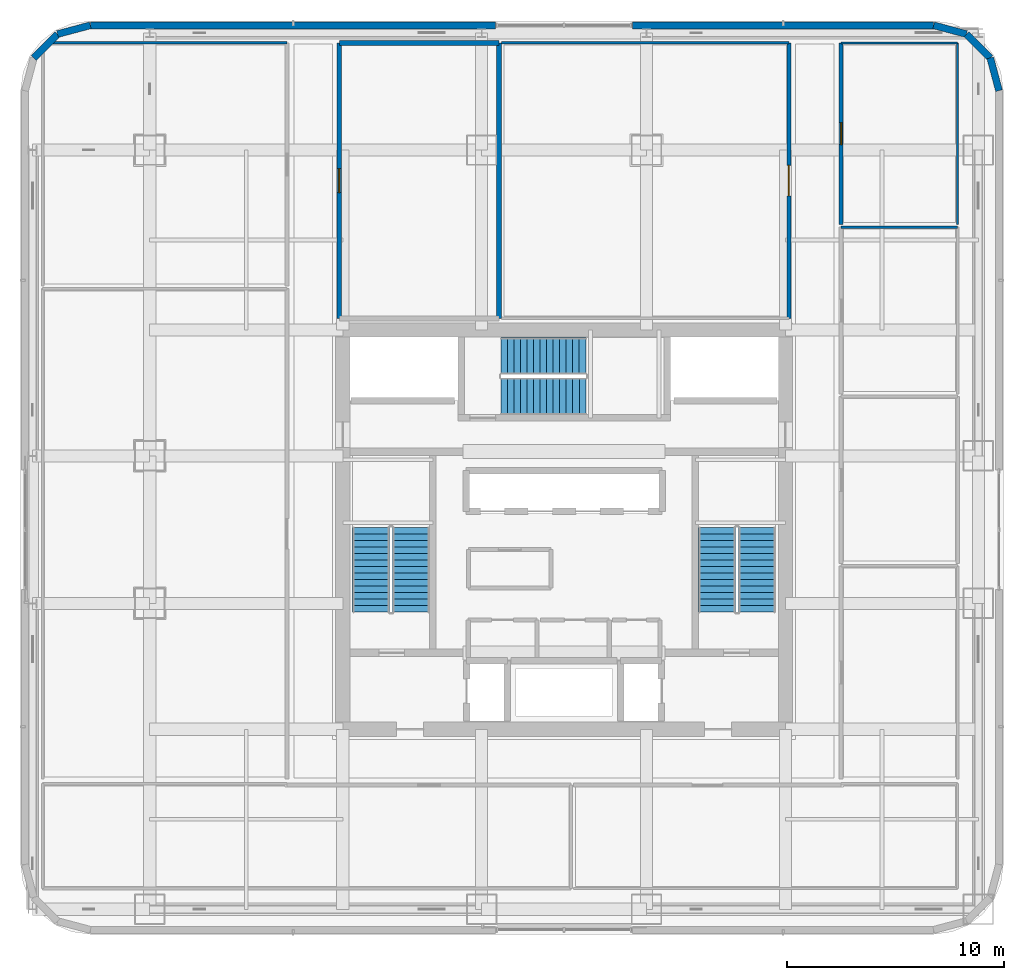
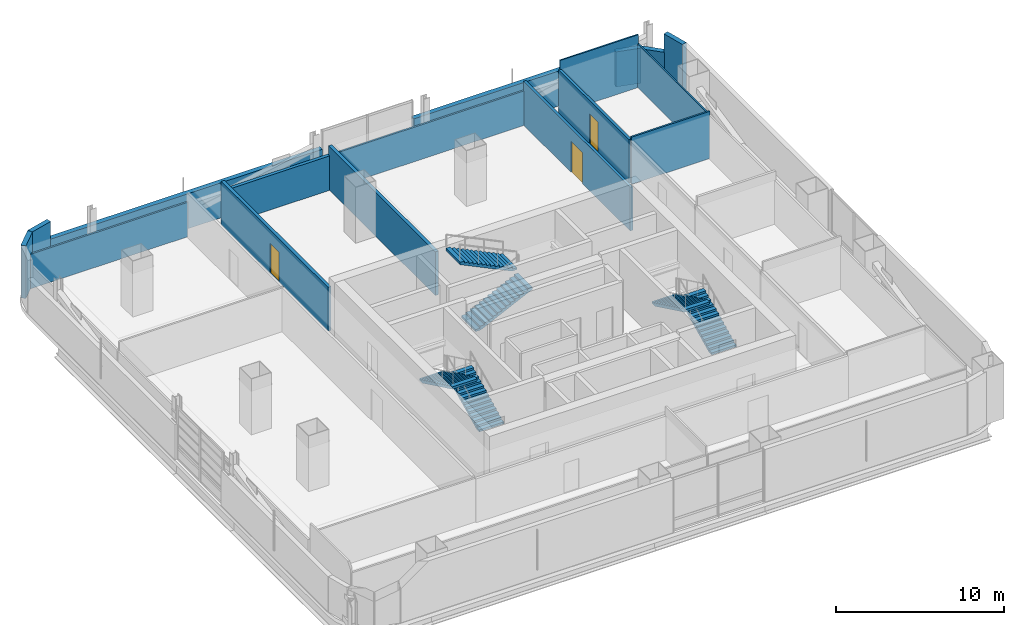
# One storey, part 15 of 32: 17 walls, 6 stair flights, 3 doors, 3 openings, 3 elements without a shape of their own.
"""IFC4 building model written with IfcOpenShell, lengths in metres."""

from ifc_helpers import new_model, si_unit, direction, frame, frame_2d, origin, place, context, subcontext, project, spatial, polyline, rectangle, outline, extrude, material, layer, layer_set, type_object, element, fill, aggregate, save


model = new_model("IFC4")

# Units and contexts
model_context = context("Model", 3, precision=1e-05, world=origin(), true_north=direction((0.0, 1.0)))
body_context = subcontext(model_context, "Body", "Model", "MODEL_VIEW")
ifc_project = project(units=[si_unit("LENGTHUNIT", "METRE"), si_unit("AREAUNIT", "SQUARE_METRE"), si_unit("VOLUMEUNIT", "CUBIC_METRE"), si_unit("PLANEANGLEUNIT", "RADIAN"), si_unit("MASSUNIT", "GRAM", prefix="KILO")], contexts=[model_context])

# Site, building, storey
site_placement = place(None, origin())
site = spatial("IfcSite", under=ifc_project, at=site_placement, CompositionType="ELEMENT")
building_placement = place(site_placement, origin())
building = spatial("IfcBuilding", under=site, at=building_placement, Name="Punatoya Terracotta Tower", CompositionType="ELEMENT")
storey_placement = place(building_placement, frame((0.0, 0.0, 139.800048828125)))
storey = spatial("IfcBuildingStorey", under=building, at=storey_placement, Name="L32", CompositionType="ELEMENT", Elevation=139.800048828125)

# Wall, opening, door
ifc_material_1 = material(Name="Gypsum Fireboard + Steel Stud", Category="steel")
ifc_layer_1 = layer(ifc_material_1, 0.179931640625)
ifc_layer_set_1 = layer_set([ifc_layer_1], Name="Gypsum Fireboard + Steel Stud")
wall_type_1 = type_object("IfcWallType", Name="WL-CORR-180", PredefinedType="PARTITIONING", material=ifc_layer_set_1)
wall_1_placement = place(storey_placement, frame((10.360107421875, 22.43994140625, 0.0), z_axis=(0.0, 0.0, 1.0), x_axis=(0.0, -1.0, 0.0)))
wall_1 = element("IfcWall", 1, at=wall_1_placement, inside=storey, type_object=wall_type_1, Name="L32 Editorial Conference Room Partition 39", PredefinedType="PARTITIONING", context=body_context, shape_type="SweptSolid", body=[
    extrude(rectangle(XDim=12.699951171875, YDim=0.179931640625, at=frame_2d((6.35009765625, 0.0))), origin(), (0.0, 0.0, 1.0), 3.174072265625),
])
opening_1_placement = place(wall_1_placement, frame((5.64990234375, 0.0, 0.0)))
opening_1 = element("IfcOpeningElement", 2, at=opening_1_placement, cuts=wall_1, Name="Opening BD-01", PredefinedType="OPENING", context=body_context, shape_type="SweptSolid", body=[
    extrude(rectangle(XDim=1.39990234375, YDim=2.25, at=frame_2d((0.699951171875, 1.125))), frame((0.0, 0.099853515625, 0.0), z_axis=(0.0, -1.0, 0.0), x_axis=(1.0, 0.0, 0.0)), (0.0, 0.0, 1.0), 0.199951171875),
])
ifc_material_2 = material(Name="Bengal Teak Acoustic Leaf")
door_type_1 = type_object("IfcDoorType", Name="DR-BRD-1400", OperationType="NOTDEFINED", PredefinedType="DOOR", material=ifc_material_2)
door_1_placement = place(opening_1_placement, origin())
door_1 = element("IfcDoor", 3, at=door_1_placement, inside=storey, type_object=door_type_1, Name="L32 Editorial Conference Room Door", OperationType="SINGLE_SWING_LEFT", OverallHeight=2.25, OverallWidth=1.39990234375, PredefinedType="DOOR", context=body_context, shape_type="SweptSolid", body=[
    extrude(rectangle(XDim=1.39990234375, YDim=2.25, at=frame_2d((0.699951171875, 1.125))), frame((0.0, 0.02490234375, 0.0), z_axis=(0.0, -1.0, 0.0), x_axis=(1.0, 0.0, 0.0)), (0.0, 0.0, 1.0), 0.050048828125),
])
fill(opening_1, door_1)

wall_2_placement = place(storey_placement, frame((12.77001953125, 14.070068359375, 0.0), z_axis=(0.0, 0.0, 1.0), x_axis=(0.0, 1.0, 0.0)))
wall_2 = element("IfcWall", 4, at=wall_2_placement, inside=storey, type_object=wall_type_1, Name="L32 Visualization Review Room Partition 45", PredefinedType="PARTITIONING", context=body_context, shape_type="SweptSolid", body=[
    extrude(rectangle(XDim=8.369873046875, YDim=0.179931640625, at=frame_2d((4.18505859375, 0.0))), origin(), (0.0, 0.0, 1.0), 3.174072265625),
])
opening_2_placement = place(wall_2_placement, frame((3.675048828125, 0.0, 0.0)))
opening_2 = element("IfcOpeningElement", 5, at=opening_2_placement, cuts=wall_2, Name="Opening MD-01", PredefinedType="OPENING", context=body_context, shape_type="SweptSolid", body=[
    extrude(rectangle(XDim=1.02001953125, YDim=2.199951171875, at=frame_2d((0.510009765625, 1.10009765625))), frame((0.0, 0.099853515625, 0.0), z_axis=(0.0, -1.0, 0.0), x_axis=(1.0, 0.0, 0.0)), (0.0, 0.0, 1.0), 0.199951171875),
])
ifc_material_3 = material(Name="Aluminium + Acoustic Glass Leaf", Category="aluminium")
door_type_2 = type_object("IfcDoorType", Name="DR-MTG-1020", OperationType="NOTDEFINED", PredefinedType="DOOR", material=ifc_material_3)
door_2_placement = place(opening_2_placement, origin())
door_2 = element("IfcDoor", 6, at=door_2_placement, inside=storey, type_object=door_type_2, Name="L32 Visualization Review Room Door", OperationType="SINGLE_SWING_LEFT", OverallHeight=2.199951171875, OverallWidth=1.02001953125, PredefinedType="DOOR", context=body_context, shape_type="SweptSolid", body=[
    extrude(rectangle(XDim=1.02001953125, YDim=2.199951171875, at=frame_2d((0.510009765625, 1.10009765625))), frame((0.0, 0.02490234375, 0.0), z_axis=(0.0, -1.0, 0.0), x_axis=(1.0, 0.0, 0.0)), (0.0, 0.0, 1.0), 0.050048828125),
])
fill(opening_2, door_2)

# Walls
ifc_material_4 = material(Name="Precast concrete C40/50", Category="concrete")
ifc_layer_2 = layer(ifc_material_4, 0.320068359375)
ifc_layer_set_2 = layer_set([ifc_layer_2], Name="Precast concrete C40/50")
wall_type_2 = type_object("IfcWallType", Name="WL-EXT-320", PredefinedType="SOLIDWALL", material=ifc_layer_set_2)
wall_3_placement = place(storey_placement, frame((20.050048828125, 20.23681640625, 0.0), z_axis=(0.0, 0.0, 1.0), x_axis=(-0.257847112249, 0.966185730957, 0.0)))
element("IfcWall", 7, at=wall_3_placement, inside=storey, type_object=wall_type_2, Name="L32 Rounded Terracotta Corner Pier 06", PredefinedType="SOLIDWALL", context=body_context, shape_type="SweptSolid", body=[
    extrude(rectangle(XDim=1.565185546875, YDim=0.320068359375, at=frame_2d((0.78271484375, 0.0))), origin(), (0.0, 0.0, 1.0), 3.829833984375),
])
wall_4_placement = place(storey_placement, frame((19.646484375, 21.7490234375, 0.0), z_axis=(0.0, 0.0, 1.0), x_axis=(-0.707028130747, 0.707185422879, 0.0)))
element("IfcWall", 8, at=wall_4_placement, inside=storey, type_object=wall_type_2, Name="L32 Rounded Terracotta Corner Pier 07", PredefinedType="SOLIDWALL", context=body_context, shape_type="SweptSolid", body=[
    extrude(rectangle(XDim=1.55224609375, YDim=0.320068359375, at=frame_2d((0.776123046875, 0.0))), origin(), (0.0, 0.0, 1.0), 2.50390625),
])
wall_5_placement = place(storey_placement, frame((18.549072265625, 22.8466796875, 0.0), z_axis=(0.0, 0.0, 1.0), x_axis=(-0.966224582397, 0.257701486942, 0.0)))
element("IfcWall", 9, at=wall_5_placement, inside=storey, type_object=wall_type_2, Name="L32 Rounded Terracotta Corner Pier 08", PredefinedType="SOLIDWALL", context=body_context, shape_type="SweptSolid", body=[
    extrude(rectangle(XDim=1.565185546875, YDim=0.320068359375, at=frame_2d((0.78271484375, 0.0))), origin(), (0.0, 0.0, 1.0), 2.5439453125),
])
wall_6_placement = place(storey_placement, frame((17.036865234375, 23.25, 0.0), z_axis=(0.0, 0.0, 1.0), x_axis=(-1.0, 0.0, 0.0)))
element("IfcWall", 10, at=wall_6_placement, inside=storey, type_object=wall_type_2, Name="L32 Terracotta Braced Facade Wall N1", PredefinedType="SOLIDWALL", context=body_context, shape_type="SweptSolid", body=[
    extrude(rectangle(XDim=13.886962890625, YDim=0.320068359375, at=frame_2d((6.943359375, 0.0))), origin(), (0.0, 0.0, 1.0), 2.5439453125),
])
wall_7_placement = place(storey_placement, frame((-3.14990234375, 23.25, 0.0), z_axis=(0.0, 0.0, 1.0), x_axis=(-1.0, 0.0, 0.0)))
element("IfcWall", 11, at=wall_7_placement, inside=storey, type_object=wall_type_2, Name="L32 Terracotta Braced Facade Wall N2", PredefinedType="SOLIDWALL", context=body_context, shape_type="SweptSolid", body=[
    extrude(rectangle(XDim=18.68701171875, YDim=0.320068359375, at=frame_2d((9.343505859375, 0.0))), origin(), (0.0, 0.0, 1.0), 2.5439453125),
])
wall_8_placement = place(storey_placement, frame((-21.8369140625, 23.25, 0.0), z_axis=(0.0, 0.0, 1.0), x_axis=(-0.966224582397, -0.257701486942, 0.0)))
element("IfcWall", 12, at=wall_8_placement, inside=storey, type_object=wall_type_2, Name="L32 Rounded Terracotta Corner Pier 10", PredefinedType="SOLIDWALL", context=body_context, shape_type="SweptSolid", body=[
    extrude(rectangle(XDim=1.565185546875, YDim=0.320068359375, at=frame_2d((0.78271484375, 0.0))), origin(), (0.0, 0.0, 1.0), 3.829833984375),
])
wall_9_placement = place(storey_placement, frame((-23.34912109375, 22.8466796875, 0.0), z_axis=(0.0, 0.0, 1.0), x_axis=(-0.707028130747, -0.707185422879, 0.0)))
element("IfcWall", 13, at=wall_9_placement, inside=storey, type_object=wall_type_2, Name="L32 Rounded Terracotta Corner Pier 11", PredefinedType="SOLIDWALL", context=body_context, shape_type="SweptSolid", body=[
    extrude(rectangle(XDim=1.55224609375, YDim=0.320068359375, at=frame_2d((0.776123046875, 0.0))), origin(), (0.0, 0.0, 1.0), 3.829833984375),
])
ifc_material_5 = material(Name="Concrete C40/50", Category="concrete")
ifc_layer_3 = layer(ifc_material_5, 0.219970703125)
ifc_layer_set_3 = layer_set([ifc_layer_3], Name="Concrete C40/50")
wall_type_3 = type_object("IfcWallType", Name="WL-FIR-220", PredefinedType="SOLIDWALL", material=ifc_layer_set_3)
wall_10_placement = place(storey_placement, frame((-10.360107421875, 22.43994140625, 0.0), z_axis=(0.0, 0.0, 1.0), x_axis=(1.0, 0.0, 0.0)))
element("IfcWall", 14, at=wall_10_placement, inside=storey, type_object=wall_type_3, Name="L32 Open-Plan Model-Making Archive Partition 33", PredefinedType="SOLIDWALL", context=body_context, shape_type="SweptSolid", body=[
    extrude(rectangle(XDim=7.3662109375, YDim=0.219970703125, at=frame_2d((3.68310546875, 0.0))), origin(), (0.0, 0.0, 1.0), 2.50390625),
])
wall_11_placement = place(storey_placement, frame((-2.993896484375, 22.43994140625, 0.0), z_axis=(0.0, 0.0, 1.0), x_axis=(0.0, -1.0, 0.0)))
element("IfcWall", 15, at=wall_11_placement, inside=storey, type_object=wall_type_3, Name="L32 Open-Plan Model-Making Archive Partition 34", PredefinedType="SOLIDWALL", context=body_context, shape_type="SweptSolid", body=[
    extrude(rectangle(XDim=12.699951171875, YDim=0.219970703125, at=frame_2d((6.35009765625, 0.0))), origin(), (0.0, 0.0, 1.0), 3.174072265625),
])

# Wall, opening, door
wall_12_placement = place(storey_placement, frame((-10.360107421875, 9.739990234375, 0.0), z_axis=(0.0, 0.0, 1.0), x_axis=(0.0, 1.0, 0.0)))
wall_12 = element("IfcWall", 16, at=wall_12_placement, inside=storey, type_object=wall_type_3, Name="L32 Open-Plan Model-Making Archive Partition 36", PredefinedType="SOLIDWALL", context=body_context, shape_type="SweptSolid", body=[
    extrude(rectangle(XDim=12.699951171875, YDim=0.219970703125, at=frame_2d((6.35009765625, 0.0))), origin(), (0.0, 0.0, 1.0), 3.174072265625),
])
opening_3_placement = place(wall_12_placement, frame((5.800048828125, 0.0, 0.0)))
opening_3 = element("IfcOpeningElement", 17, at=opening_3_placement, cuts=wall_12, Name="Opening FD-P1", PredefinedType="OPENING", context=body_context, shape_type="SweptSolid", body=[
    extrude(rectangle(XDim=1.10009765625, YDim=2.199951171875, at=frame_2d((0.550048828125, 1.10009765625))), frame((0.0, 0.119873046875, 0.0), z_axis=(0.0, -1.0, 0.0), x_axis=(1.0, 0.0, 0.0)), (0.0, 0.0, 1.0), 0.239990234375),
])
ifc_material_6 = material(Name="Galvanised Steel Plant Fire Door", Category="steel")
door_type_3 = type_object("IfcDoorType", Name="DR-PLT-1100", OperationType="NOTDEFINED", PredefinedType="DOOR", material=ifc_material_6)
door_3_placement = place(opening_3_placement, origin())
door_3 = element("IfcDoor", 18, at=door_3_placement, inside=storey, type_object=door_type_3, Name="L32 Open-Plan Model-Making Archive Fire Door", OperationType="SINGLE_SWING_RIGHT", OverallHeight=2.199951171875, OverallWidth=1.10009765625, PredefinedType="DOOR", context=body_context, shape_type="SweptSolid", body=[
    extrude(rectangle(XDim=1.10009765625, YDim=2.199951171875, at=frame_2d((0.550048828125, 1.10009765625))), frame((0.0, 0.02490234375, 0.0), z_axis=(0.0, -1.0, 0.0), x_axis=(1.0, 0.0, 0.0)), (0.0, 0.0, 1.0), 0.050048828125),
])
fill(opening_3, door_3)

# Walls
ifc_material_7 = material(Name="Aluminium Framed Acoustic Glass Partition", Category="aluminium")
ifc_layer_4 = layer(ifc_material_7, 0.10009765625)
ifc_layer_set_4 = layer_set([ifc_layer_4], Name="Aluminium Framed Acoustic Glass Partition")
wall_type_4 = type_object("IfcWallType", Name="WL-GLZ-100", PredefinedType="PARTITIONING", material=ifc_layer_set_4)
wall_13_placement = place(storey_placement, frame((12.77001953125, 22.43994140625, 0.0), z_axis=(0.0, 0.0, 1.0), x_axis=(1.0, 0.0, 0.0)))
element("IfcWall", 19, at=wall_13_placement, inside=storey, type_object=wall_type_4, Name="L32 Visualization Review Room Partition 43", PredefinedType="PARTITIONING", context=body_context, shape_type="SweptSolid", body=[
    extrude(rectangle(XDim=5.369873046875, YDim=0.10009765625, at=frame_2d((2.68505859375, 0.0))), origin(), (0.0, 0.0, 1.0), 3.829833984375),
])
wall_14_placement = place(storey_placement, frame((18.139892578125, 22.43994140625, 0.0), z_axis=(0.0, 0.0, 1.0), x_axis=(0.0, -1.0, 0.0)))
element("IfcWall", 20, at=wall_14_placement, inside=storey, type_object=wall_type_4, Name="L32 Visualization Review Room Partition 44", PredefinedType="PARTITIONING", context=body_context, shape_type="SweptSolid", body=[
    extrude(rectangle(XDim=8.369873046875, YDim=0.10009765625, at=frame_2d((4.18505859375, 0.0))), origin(), (0.0, 0.0, 1.0), 3.174072265625),
])
ifc_material_8 = material(Name="Gypsum Partition + Steel Stud", Category="steel")
ifc_layer_5 = layer(ifc_material_8, 0.1201171875)
ifc_layer_set_5 = layer_set([ifc_layer_5], Name="Gypsum Partition + Steel Stud")
wall_type_5 = type_object("IfcWallType", Name="WL-OFF-120", PredefinedType="PARTITIONING", material=ifc_layer_set_5)
wall_15_placement = place(storey_placement, frame((12.77001953125, 13.949951171875, 0.0), z_axis=(0.0, 0.0, 1.0), x_axis=(1.0, 0.0, 0.0)))
element("IfcWall", 21, at=wall_15_placement, inside=storey, type_object=wall_type_5, Name="L32 Acoustic Wellness Room Partition 30", PredefinedType="PARTITIONING", context=body_context, shape_type="SweptSolid", body=[
    extrude(rectangle(XDim=5.369873046875, YDim=0.1201171875, at=frame_2d((2.68505859375, 0.0))), origin(), (0.0, 0.0, 1.0), 3.424072265625),
])
wall_16_placement = place(storey_placement, frame((-2.8740234375, 22.43994140625, 0.0), z_axis=(0.0, 0.0, 1.0), x_axis=(1.0, 0.0, 0.0)))
element("IfcWall", 22, at=wall_16_placement, inside=storey, type_object=wall_type_5, Name="L32 Editorial Conference Room Partition 38", PredefinedType="PARTITIONING", context=body_context, shape_type="SweptSolid", body=[
    extrude(rectangle(XDim=13.234130859375, YDim=0.1201171875, at=frame_2d((6.6171875, 0.0))), origin(), (0.0, 0.0, 1.0), 2.50390625),
])
wall_17_placement = place(storey_placement, frame((-23.74755859375, 22.43994140625, 0.0), z_axis=(0.0, 0.0, 1.0), x_axis=(1.0, 0.0, 0.0)))
element("IfcWall", 23, at=wall_17_placement, inside=storey, type_object=wall_type_5, Name="L32 Open-Plan Client Briefing Office Partition 42", PredefinedType="PARTITIONING", context=body_context, shape_type="SweptSolid", body=[
    extrude(rectangle(XDim=10.9775390625, YDim=0.1201171875, at=frame_2d((5.48876953125, 0.0))), origin(), (0.0, 0.0, 1.0), 2.50390625),
])

# Stair, stair flights
stair_type_1 = type_object("IfcStairType", Name="STR-CORE-1550", PredefinedType="HALF_TURN_STAIR", material=ifc_material_5)
stair_1_placement = place(storey_placement, origin())
stair_1 = element("IfcStair", 24, at=stair_1_placement, inside=storey, type_object=stair_type_1, Name="L32 Protected Core Exit Stair ST-1", PredefinedType="HALF_TURN_STAIR")
stair_flight_type_1 = type_object("IfcStairFlightType", Name="SFL-CORE-1550", PredefinedType="STRAIGHT", material=ifc_material_5)
stair_flight_1_placement = place(storey_placement, frame((-7.050048828125, -3.800048828125, 0.0), z_axis=(0.0, 0.0, 1.0), x_axis=(0.0, 1.0, 0.0)))
stair_flight_1 = element("IfcStairFlight", 25, at=stair_flight_1_placement, type_object=stair_flight_type_1, Name="ST-1 flight 1", NumberOfRisers=14, NumberOfTreads=13, PredefinedType="STRAIGHT", RiserHeight=0.144642857, TreadLength=0.3, context=body_context, shape_type="SweptSolid", body=[
    extrude(outline(polyline([(0.0, 0.0), (0.0, 0.14453125), (0.300048828125, 0.14453125), (0.300048828125, 0.289306640625), (0.60009765625, 0.289306640625), (0.60009765625, 0.433837890625), (0.89990234375, 0.433837890625), (0.89990234375, 0.57861328125), (1.199951171875, 0.57861328125), (1.199951171875, 0.72314453125), (1.5, 0.72314453125), (1.5, 0.867919921875), (1.800048828125, 0.867919921875), (1.800048828125, 1.012451171875), (2.10009765625, 1.012451171875), (2.10009765625, 1.1572265625), (2.39990234375, 1.1572265625), (2.39990234375, 1.3017578125), (2.699951171875, 1.3017578125), (2.699951171875, 1.446533203125), (3.0, 1.446533203125), (3.0, 1.591064453125), (3.300048828125, 1.591064453125), (3.300048828125, 1.735595703125), (3.60009765625, 1.735595703125), (3.60009765625, 1.88037109375), (3.89990234375, 1.88037109375), (3.89990234375, 2.02490234375), (3.89990234375, 1.7138671875), (0.34521484375, 0.0), (0.0, 0.0)])), frame((0.0, 0.85009765625, 0.0), z_axis=(0.0, -1.0, 0.0), x_axis=(1.0, 0.0, 0.0)), (0.0, 0.0, 1.0), 1.699951171875),
])
stair_flight_2_placement = place(storey_placement, frame((-8.89990234375, 0.10009765625, 2.02490234375), z_axis=(0.0, 0.0, 1.0), x_axis=(0.0, -1.0, 0.0)))
stair_flight_2 = element("IfcStairFlight", 26, at=stair_flight_2_placement, type_object=stair_flight_type_1, Name="ST-1 flight 2", NumberOfRisers=14, NumberOfTreads=13, PredefinedType="STRAIGHT", RiserHeight=0.144642857, TreadLength=0.3, context=body_context, shape_type="SweptSolid", body=[
    extrude(outline(polyline([(0.0, 0.0), (0.0, 0.14453125), (0.300048828125, 0.14453125), (0.300048828125, 0.289306640625), (0.60009765625, 0.289306640625), (0.60009765625, 0.433837890625), (0.89990234375, 0.433837890625), (0.89990234375, 0.57861328125), (1.199951171875, 0.57861328125), (1.199951171875, 0.72314453125), (1.5, 0.72314453125), (1.5, 0.867919921875), (1.800048828125, 0.867919921875), (1.800048828125, 1.012451171875), (2.10009765625, 1.012451171875), (2.10009765625, 1.1572265625), (2.39990234375, 1.1572265625), (2.39990234375, 1.3017578125), (2.699951171875, 1.3017578125), (2.699951171875, 1.446533203125), (3.0, 1.446533203125), (3.0, 1.591064453125), (3.300048828125, 1.591064453125), (3.300048828125, 1.735595703125), (3.60009765625, 1.735595703125), (3.60009765625, 1.88037109375), (3.89990234375, 1.88037109375), (3.89990234375, 2.02490234375), (3.89990234375, 1.7138671875), (0.34521484375, 0.0), (0.0, 0.0)])), frame((0.0, 0.85009765625, 0.0), z_axis=(0.0, -1.0, 0.0), x_axis=(1.0, 0.0, 0.0)), (0.0, 0.0, 1.0), 1.699951171875),
])
aggregate(stair_1, [stair_flight_1, stair_flight_2])

stair_type_2 = type_object("IfcStairType", Name="STR-LOB-1650", PredefinedType="HALF_TURN_STAIR", material=ifc_material_5)
stair_2_placement = place(storey_placement, origin())
stair_2 = element("IfcStair", 27, at=stair_2_placement, inside=storey, type_object=stair_type_2, Name="L32 Protected Core Exit Stair ST-2", PredefinedType="HALF_TURN_STAIR")
stair_flight_type_2 = type_object("IfcStairFlightType", Name="SFL-LOB-1650", PredefinedType="STRAIGHT", material=ifc_material_5)
stair_flight_3_placement = place(storey_placement, frame((8.89990234375, -3.800048828125, 0.0), z_axis=(0.0, 0.0, 1.0), x_axis=(0.0, 1.0, 0.0)))
stair_flight_3 = element("IfcStairFlight", 28, at=stair_flight_3_placement, type_object=stair_flight_type_2, Name="ST-2 flight 1", NumberOfRisers=14, NumberOfTreads=13, PredefinedType="STRAIGHT", RiserHeight=0.144642857, TreadLength=0.3, context=body_context, shape_type="SweptSolid", body=[
    extrude(outline(polyline([(0.0, 0.0), (0.0, 0.14453125), (0.300048828125, 0.14453125), (0.300048828125, 0.289306640625), (0.60009765625, 0.289306640625), (0.60009765625, 0.433837890625), (0.89990234375, 0.433837890625), (0.89990234375, 0.57861328125), (1.199951171875, 0.57861328125), (1.199951171875, 0.72314453125), (1.5, 0.72314453125), (1.5, 0.867919921875), (1.800048828125, 0.867919921875), (1.800048828125, 1.012451171875), (2.10009765625, 1.012451171875), (2.10009765625, 1.1572265625), (2.39990234375, 1.1572265625), (2.39990234375, 1.3017578125), (2.699951171875, 1.3017578125), (2.699951171875, 1.446533203125), (3.0, 1.446533203125), (3.0, 1.591064453125), (3.300048828125, 1.591064453125), (3.300048828125, 1.735595703125), (3.60009765625, 1.735595703125), (3.60009765625, 1.88037109375), (3.89990234375, 1.88037109375), (3.89990234375, 2.02490234375), (3.89990234375, 1.7138671875), (0.34521484375, 0.0), (0.0, 0.0)])), frame((0.0, 0.85009765625, 0.0), z_axis=(0.0, -1.0, 0.0), x_axis=(1.0, 0.0, 0.0)), (0.0, 0.0, 1.0), 1.699951171875),
])
stair_flight_4_placement = place(storey_placement, frame((7.050048828125, 0.10009765625, 2.02490234375), z_axis=(0.0, 0.0, 1.0), x_axis=(0.0, -1.0, 0.0)))
stair_flight_4 = element("IfcStairFlight", 29, at=stair_flight_4_placement, type_object=stair_flight_type_2, Name="ST-2 flight 2", NumberOfRisers=14, NumberOfTreads=13, PredefinedType="STRAIGHT", RiserHeight=0.144642857, TreadLength=0.3, context=body_context, shape_type="SweptSolid", body=[
    extrude(outline(polyline([(0.0, 0.0), (0.0, 0.14453125), (0.300048828125, 0.14453125), (0.300048828125, 0.289306640625), (0.60009765625, 0.289306640625), (0.60009765625, 0.433837890625), (0.89990234375, 0.433837890625), (0.89990234375, 0.57861328125), (1.199951171875, 0.57861328125), (1.199951171875, 0.72314453125), (1.5, 0.72314453125), (1.5, 0.867919921875), (1.800048828125, 0.867919921875), (1.800048828125, 1.012451171875), (2.10009765625, 1.012451171875), (2.10009765625, 1.1572265625), (2.39990234375, 1.1572265625), (2.39990234375, 1.3017578125), (2.699951171875, 1.3017578125), (2.699951171875, 1.446533203125), (3.0, 1.446533203125), (3.0, 1.591064453125), (3.300048828125, 1.591064453125), (3.300048828125, 1.735595703125), (3.60009765625, 1.735595703125), (3.60009765625, 1.88037109375), (3.89990234375, 1.88037109375), (3.89990234375, 2.02490234375), (3.89990234375, 1.7138671875), (0.34521484375, 0.0), (0.0, 0.0)])), frame((0.0, 0.85009765625, 0.0), z_axis=(0.0, -1.0, 0.0), x_axis=(1.0, 0.0, 0.0)), (0.0, 0.0, 1.0), 1.699951171875),
])
aggregate(stair_2, [stair_flight_3, stair_flight_4])

stair_type_3 = type_object("IfcStairType", Name="STR-TER-1450", PredefinedType="HALF_TURN_STAIR", material=ifc_material_5)
stair_3_placement = place(storey_placement, origin())
stair_3 = element("IfcStair", 30, at=stair_3_placement, inside=storey, type_object=stair_type_3, Name="L32 Protected Core Exit Stair ST-3", PredefinedType="HALF_TURN_STAIR")
stair_flight_type_3 = type_object("IfcStairFlightType", Name="SFL-TER-1450", PredefinedType="STRAIGHT", material=ifc_material_5)
stair_flight_5_placement = place(storey_placement, frame((-2.89990234375, 6.14990234375, 0.0), z_axis=(0.0, 0.0, 1.0), x_axis=(1.0, 0.0, 0.0)))
stair_flight_5 = element("IfcStairFlight", 31, at=stair_flight_5_placement, type_object=stair_flight_type_3, Name="ST-3 flight 1", NumberOfRisers=14, NumberOfTreads=13, PredefinedType="STRAIGHT", RiserHeight=0.144642857, TreadLength=0.3, context=body_context, shape_type="SweptSolid", body=[
    extrude(outline(polyline([(0.0, 0.0), (0.0, 0.14453125), (0.300048828125, 0.14453125), (0.300048828125, 0.289306640625), (0.60009765625, 0.289306640625), (0.60009765625, 0.433837890625), (0.89990234375, 0.433837890625), (0.89990234375, 0.57861328125), (1.199951171875, 0.57861328125), (1.199951171875, 0.72314453125), (1.5, 0.72314453125), (1.5, 0.867919921875), (1.800048828125, 0.867919921875), (1.800048828125, 1.012451171875), (2.10009765625, 1.012451171875), (2.10009765625, 1.1572265625), (2.39990234375, 1.1572265625), (2.39990234375, 1.3017578125), (2.699951171875, 1.3017578125), (2.699951171875, 1.446533203125), (3.0, 1.446533203125), (3.0, 1.591064453125), (3.300048828125, 1.591064453125), (3.300048828125, 1.735595703125), (3.60009765625, 1.735595703125), (3.60009765625, 1.88037109375), (3.89990234375, 1.88037109375), (3.89990234375, 2.02490234375), (3.89990234375, 1.7138671875), (0.34521484375, 0.0), (0.0, 0.0)])), frame((0.0, 0.85009765625, 0.0), z_axis=(0.0, -1.0, 0.0), x_axis=(1.0, 0.0, 0.0)), (0.0, 0.0, 1.0), 1.699951171875),
])
stair_flight_6_placement = place(storey_placement, frame((1.0, 8.0, 2.02490234375), z_axis=(0.0, 0.0, 1.0), x_axis=(-1.0, 0.0, 0.0)))
stair_flight_6 = element("IfcStairFlight", 32, at=stair_flight_6_placement, type_object=stair_flight_type_3, Name="ST-3 flight 2", NumberOfRisers=14, NumberOfTreads=13, PredefinedType="STRAIGHT", RiserHeight=0.144642857, TreadLength=0.3, context=body_context, shape_type="SweptSolid", body=[
    extrude(outline(polyline([(0.0, 0.0), (0.0, 0.14453125), (0.300048828125, 0.14453125), (0.300048828125, 0.289306640625), (0.60009765625, 0.289306640625), (0.60009765625, 0.433837890625), (0.89990234375, 0.433837890625), (0.89990234375, 0.57861328125), (1.199951171875, 0.57861328125), (1.199951171875, 0.72314453125), (1.5, 0.72314453125), (1.5, 0.867919921875), (1.800048828125, 0.867919921875), (1.800048828125, 1.012451171875), (2.10009765625, 1.012451171875), (2.10009765625, 1.1572265625), (2.39990234375, 1.1572265625), (2.39990234375, 1.3017578125), (2.699951171875, 1.3017578125), (2.699951171875, 1.446533203125), (3.0, 1.446533203125), (3.0, 1.591064453125), (3.300048828125, 1.591064453125), (3.300048828125, 1.735595703125), (3.60009765625, 1.735595703125), (3.60009765625, 1.88037109375), (3.89990234375, 1.88037109375), (3.89990234375, 2.02490234375), (3.89990234375, 1.7138671875), (0.34521484375, 0.0), (0.0, 0.0)])), frame((0.0, 0.85009765625, 0.0), z_axis=(0.0, -1.0, 0.0), x_axis=(1.0, 0.0, 0.0)), (0.0, 0.0, 1.0), 1.699951171875),
])
aggregate(stair_3, [stair_flight_5, stair_flight_6])

save(model, "model.ifc")
